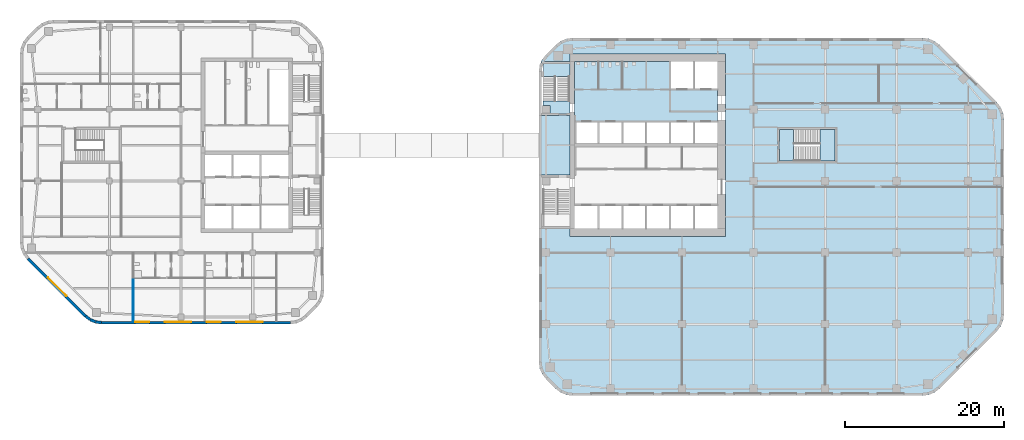
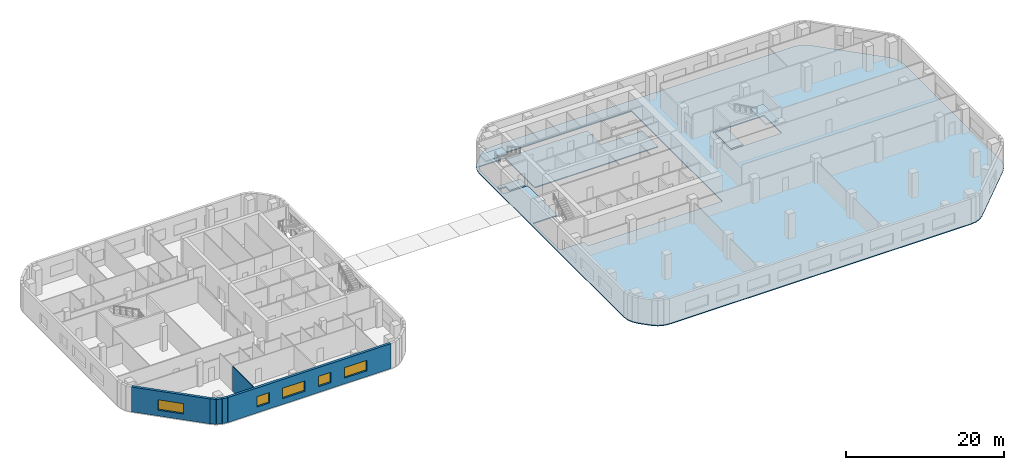
# One storey, part 4 of 15: 6 slabs, 6 walls, 5 windows, 5 openings, 2 elements without a shape of their own.
"""IFC4 building model written with IfcOpenShell, lengths in metres."""

from ifc_helpers import new_model, si_unit, direction, frame, frame_2d, origin, place, context, subcontext, project, spatial, polyline, rectangle, outline, extrude, material, layer, layer_set, type_object, element, fill, aggregate, save


model = new_model("IFC4")

# Units and contexts
model_context = context("Model", 3, precision=1e-05, world=origin(), true_north=direction((0.0, 1.0)))
body_context = subcontext(model_context, "Body", "Model", "MODEL_VIEW")
ifc_project = project(units=[si_unit("LENGTHUNIT", "METRE"), si_unit("AREAUNIT", "SQUARE_METRE"), si_unit("VOLUMEUNIT", "CUBIC_METRE"), si_unit("PLANEANGLEUNIT", "RADIAN"), si_unit("MASSUNIT", "GRAM", prefix="KILO")], contexts=[model_context])

# Site, building, storey
site_placement = place(None, origin())
site = spatial("IfcSite", under=ifc_project, at=site_placement, CompositionType="ELEMENT")
building_placement = place(site_placement, origin())
building = spatial("IfcBuilding", under=site, at=building_placement, Name="Cinnabar Reach Civic Tower", CompositionType="ELEMENT")
storey_placement = place(building_placement, frame((0.0, 0.0, 75.0)))
storey = spatial("IfcBuildingStorey", under=building, at=storey_placement, Name="L17", CompositionType="ELEMENT", Elevation=75.0)

# Slab
ifc_material_1 = material(Name="Concrete C40", Category="concrete")
ifc_layer_1 = layer(ifc_material_1, 0.15)
ifc_layer_set_1 = layer_set([ifc_layer_1], Name="Composite floor slab 150 REI 150")
slab_type_1 = type_object("IfcSlabType", Name="Composite floor slab 150 REI 150", PredefinedType="FLOOR", material=ifc_layer_set_1)
slab_1_placement = place(storey_placement, frame((0.0, 0.0, -0.15)))
element("IfcSlab", 1, at=slab_1_placement, inside=storey, type_object=slab_type_1, Name="Composite floor slab 150 T1 L17", PredefinedType="FLOOR", context=body_context, shape_type="SweptSolid", body=[
    extrude(outline(polyline([(0.8787, 2.1213), (0.4019, 2.7426), (0.1022, 3.4662), (0.0, 4.2426), (0.0, 40.7574), (0.1022, 41.5338), (0.4019, 42.2574), (0.8787, 42.8787), (2.1213, 44.1213), (2.7426, 44.5981), (3.4662, 44.8978), (4.2426, 45.0), (48.2574, 45.0), (49.0338, 44.8978), (49.7574, 44.5981), (50.3787, 44.1213), (57.6213, 36.8787), (58.0981, 36.2574), (58.3978, 35.5338), (58.5, 34.7574), (58.5, 10.2426), (58.3978, 9.4662), (58.0981, 8.7426), (57.6213, 8.1213), (50.3787, 0.8787), (49.7574, 0.4019), (49.0338, 0.1022), (48.2574, 0.0), (4.2426, 0.0), (3.4662, 0.1022), (2.7426, 0.4019), (2.1213, 0.8787), (0.8787, 2.1213)]), holes=[polyline([(0.36, 21.0), (3.9, 21.0), (3.9, 20.0), (23.5, 20.0), (23.5, 43.0), (3.9, 43.0), (3.9, 42.0), (0.685, 42.0), (0.453, 41.4398), (0.36, 40.7338), (0.36, 35.25), (3.9, 35.25), (3.9, 27.75), (0.36, 27.75), (0.36, 21.0)]), polyline([(30.0, 33.75), (30.0, 29.25), (37.5, 29.25), (37.5, 33.75), (30.0, 33.75)])]), origin(), (0.0, 0.0, 1.0), 0.15),
])

# Stair, slabs
ifc_material_2 = material(Name="Concrete C40/50", Category="concrete")
stair_type = type_object("IfcStairType", Name="T1 Exit stair, half-turn", PredefinedType="HALF_TURN_STAIR", material=ifc_material_2)
stair_1_placement = place(storey_placement, origin())
stair_1 = element("IfcStair", 2, at=stair_1_placement, inside=storey, type_object=stair_type, Name="Stair T1-S2", PredefinedType="HALF_TURN_STAIR")
ifc_layer_2 = layer(ifc_material_2, 0.2)
ifc_layer_set_2 = layer_set([ifc_layer_2], Name="T1 Stair landing 200, Concrete C40/50")
slab_type_2 = type_object("IfcSlabType", Name="T1 Stair landing 200, Concrete C40/50", PredefinedType="LANDING", material=ifc_layer_set_2)
slab_2_placement = place(storey_placement, frame((0.0, 0.0, -0.2)))
slab_2 = element("IfcSlab", 3, at=slab_2_placement, type_object=slab_type_2, Name="T1-S2 landing 1", PredefinedType="LANDING", context=body_context, shape_type="SweptSolid", body=[
    extrude(outline(polyline([(0.5, 37.05), (3.9, 37.05), (3.9, 35.5), (1.4, 35.5), (1.4, 36.5), (0.5, 36.5), (0.5, 37.05)])), origin(), (0.0, 0.0, 1.0), 0.2),
])
slab_3_placement = place(storey_placement, frame((0.0, 0.0, 1.8)))
slab_3 = element("IfcSlab", 4, at=slab_3_placement, type_object=slab_type_2, Name="T1-S2 landing 2", PredefinedType="LANDING", context=body_context, shape_type="SweptSolid", body=[
    extrude(outline(polyline([(0.6, 40.13), (0.6, 41.75), (3.9, 41.75), (3.9, 40.13), (0.6, 40.13)])), origin(), (0.0, 0.0, 1.0), 0.2),
])
aggregate(stair_1, [slab_2, slab_3])

stair_2_placement = place(storey_placement, origin())
stair_2 = element("IfcStair", 5, at=stair_2_placement, inside=storey, type_object=stair_type, Name="Stair T1-S3", PredefinedType="HALF_TURN_STAIR")
slab_4_placement = place(storey_placement, frame((0.0, 0.0, -0.2)))
slab_4 = element("IfcSlab", 6, at=slab_4_placement, type_object=slab_type_2, Name="T1-S3 landing 1", PredefinedType="LANDING", context=body_context, shape_type="SweptSolid", body=[
    extrude(outline(polyline([(30.25, 29.5), (32.05, 29.5), (32.05, 33.5), (30.25, 33.5), (30.25, 29.5)])), origin(), (0.0, 0.0, 1.0), 0.2),
])
slab_5_placement = place(storey_placement, frame((0.0, 0.0, 1.8)))
slab_5 = element("IfcSlab", 7, at=slab_5_placement, type_object=slab_type_2, Name="T1-S3 landing 2", PredefinedType="LANDING", context=body_context, shape_type="SweptSolid", body=[
    extrude(outline(polyline([(35.35, 29.5), (37.25, 29.5), (37.25, 33.5), (35.35, 33.5), (35.35, 29.5)])), origin(), (0.0, 0.0, 1.0), 0.2),
])
aggregate(stair_2, [slab_4, slab_5])

# Slab
ifc_layer_3 = layer(ifc_material_2, 0.15)
ifc_layer_set_3 = layer_set([ifc_layer_3], Name="T1 core floor slab 150")
slab_type_3 = type_object("IfcSlabType", Name="T1 core floor slab 150", PredefinedType="FLOOR", material=ifc_layer_set_3)
slab_6_placement = place(storey_placement, frame((0.0, 0.0, -0.15)))
element("IfcSlab", 8, at=slab_6_placement, inside=storey, type_object=slab_type_3, Name="Core floor slab L17", PredefinedType="FLOOR", context=body_context, shape_type="SweptSolid", body=[
    extrude(outline(polyline([(22.5, 34.5), (19.5, 34.5), (16.5, 34.5), (13.5, 34.5), (10.5, 34.5), (7.5, 34.5), (4.5, 34.5), (4.5, 42.0), (16.5, 42.0), (16.5, 38.5), (19.5, 38.5), (22.5, 38.5), (22.5, 34.5)])), origin(), (0.0, 0.0, 1.0), 0.15),
])

# Walls
ifc_material_3 = material(Name="Facing brick with insulated backing", Category="masonry")
ifc_layer_4 = layer(ifc_material_3, 0.36)
ifc_layer_set_4 = layer_set([ifc_layer_4], Name="Brick corner wall")
wall_type_1 = type_object("IfcWallType", Name="Brick corner wall", PredefinedType="STANDARD", material=ifc_layer_set_4)
wall_1_placement = place(storey_placement, frame((-56.9913, 10.0002, 0.0), z_axis=(0.0, 0.0, 1.0), x_axis=(0.793321924995, -0.608802368033, 0.0)))
element("IfcWall", 9, at=wall_1_placement, inside=storey, type_object=wall_type_1, Name="Brick corner wall", PredefinedType="STANDARD", context=body_context, shape_type="SweptSolid", body=[
    extrude(rectangle(XDim=0.7132, YDim=0.36, at=frame_2d((0.3566, 0.0))), origin(), (0.0, 0.0, 1.0), 3.85),
])
for number, where, z_axis, x_axis, name in (
    (10, (-56.4061, 9.5548, 0.0), (0.0, 0.0, 1.0), (0.923871547278, -0.382702709855, 0.0), "Brick corner wall"),
    (11, (-55.7256, 9.2761, 0.0), (0.0, 0.0, 1.0), (0.99144092581, -0.13055608231, 0.0), "Brick corner wall"),
):
    element("IfcWall", number, at=place(storey_placement, frame(where, z_axis=z_axis, x_axis=x_axis)), inside=storey, type_object=wall_type_1, Name=name, PredefinedType="STANDARD", context=body_context, shape_type="SweptSolid", body=[
        extrude(rectangle(XDim=0.7131, YDim=0.36, at=frame_2d((0.3565, 0.0))), origin(), (0.0, 0.0, 1.0), 3.85),
    ])

# Wall, openings, windows
ifc_layer_5 = layer(ifc_material_3, 0.36)
ifc_layer_set_5 = layer_set([ifc_layer_5], Name="Brick pier and spandrel wall")
wall_type_2 = type_object("IfcWallType", Name="Brick pier and spandrel wall", PredefinedType="STANDARD", material=ifc_layer_set_5)
wall_2_placement = place(storey_placement, frame((-55.0074, 9.18, 0.0), z_axis=(0.0, 0.0, 1.0), x_axis=(1.0, 0.0, 0.0)))
wall_2 = element("IfcWall", 12, at=wall_2_placement, inside=storey, type_object=wall_type_2, Name="Brick facade wall", PredefinedType="STANDARD", context=body_context, shape_type="SweptSolid", body=[
    extrude(rectangle(XDim=23.7648, YDim=0.36, at=frame_2d((11.8824, 0.0))), origin(), (0.0, 0.0, 1.0), 3.85),
])
opening_1_placement = place(wall_2_placement, frame((4.2324, 0.0, 0.9)))
opening_1 = element("IfcOpeningElement", 13, at=opening_1_placement, cuts=wall_2, Name="Opening W2569", PredefinedType="OPENING", context=body_context, shape_type="SweptSolid", body=[
    extrude(rectangle(XDim=1.8, YDim=1.6, at=frame_2d((0.9, 0.8))), frame((0.0, 0.19, 0.0), z_axis=(0.0, -1.0, 0.0), x_axis=(1.0, 0.0, 0.0)), (0.0, 0.0, 1.0), 0.38),
])
opening_2_placement = place(wall_2_placement, frame((7.9824, 0.0, 0.9)))
opening_2 = element("IfcOpeningElement", 14, at=opening_2_placement, cuts=wall_2, Name="Opening W2570", PredefinedType="OPENING", context=body_context, shape_type="SweptSolid", body=[
    extrude(rectangle(XDim=3.3, YDim=1.6, at=frame_2d((1.65, 0.8))), frame((0.0, 0.19, 0.0), z_axis=(0.0, -1.0, 0.0), x_axis=(1.0, 0.0, 0.0)), (0.0, 0.0, 1.0), 0.38),
])
opening_3_placement = place(wall_2_placement, frame((13.2324, 0.0, 0.9)))
opening_3 = element("IfcOpeningElement", 15, at=opening_3_placement, cuts=wall_2, Name="Opening W2571", PredefinedType="OPENING", context=body_context, shape_type="SweptSolid", body=[
    extrude(rectangle(XDim=1.8, YDim=1.6, at=frame_2d((0.9, 0.8))), frame((0.0, 0.19, 0.0), z_axis=(0.0, -1.0, 0.0), x_axis=(1.0, 0.0, 0.0)), (0.0, 0.0, 1.0), 0.38),
])
opening_4_placement = place(wall_2_placement, frame((16.9824, 0.0, 0.9)))
opening_4 = element("IfcOpeningElement", 16, at=opening_4_placement, cuts=wall_2, Name="Opening W2572", PredefinedType="OPENING", context=body_context, shape_type="SweptSolid", body=[
    extrude(rectangle(XDim=3.3, YDim=1.6, at=frame_2d((1.65, 0.8))), frame((0.0, 0.19, 0.0), z_axis=(0.0, -1.0, 0.0), x_axis=(1.0, 0.0, 0.0)), (0.0, 0.0, 1.0), 0.38),
])
ifc_material_4 = material(Name="Clear double glazing in aluminium frame", Category="aluminium")
window_type_1 = type_object("IfcWindowType", Name="Deep-set window A", PartitioningType="SINGLE_PANEL", PredefinedType="WINDOW", material=ifc_material_4)
window_1_placement = place(opening_2_placement, origin())
window_1 = element("IfcWindow", 17, at=window_1_placement, inside=storey, type_object=window_type_1, Name="Window south face", OverallHeight=1.6, OverallWidth=3.3, PartitioningType="SINGLE_PANEL", PredefinedType="WINDOW", context=body_context, shape_type="SweptSolid", body=[
    extrude(rectangle(XDim=3.3, YDim=1.6, at=frame_2d((1.65, 0.8))), frame((0.0, 0.13, 0.0), z_axis=(0.0, -1.0, 0.0), x_axis=(1.0, 0.0, 0.0)), (0.0, 0.0, 1.0), 0.06),
])
fill(opening_2, window_1)
window_2_placement = place(opening_4_placement, origin())
window_2 = element("IfcWindow", 18, at=window_2_placement, inside=storey, type_object=window_type_1, Name="Window south face", OverallHeight=1.6, OverallWidth=3.3, PartitioningType="SINGLE_PANEL", PredefinedType="WINDOW", context=body_context, shape_type="SweptSolid", body=[
    extrude(rectangle(XDim=3.3, YDim=1.6, at=frame_2d((1.65, 0.8))), frame((0.0, 0.13, 0.0), z_axis=(0.0, -1.0, 0.0), x_axis=(1.0, 0.0, 0.0)), (0.0, 0.0, 1.0), 0.06),
])
fill(opening_4, window_2)
window_type_2 = type_object("IfcWindowType", Name="Deep-set window D", PartitioningType="SINGLE_PANEL", PredefinedType="WINDOW", material=ifc_material_4)
window_3_placement = place(opening_1_placement, origin())
window_3 = element("IfcWindow", 19, at=window_3_placement, inside=storey, type_object=window_type_2, Name="Window south face", OverallHeight=1.6, OverallWidth=1.8, PartitioningType="SINGLE_PANEL", PredefinedType="WINDOW", context=body_context, shape_type="SweptSolid", body=[
    extrude(rectangle(XDim=1.8, YDim=1.6, at=frame_2d((0.9, 0.8))), frame((0.0, 0.13, 0.0), z_axis=(0.0, -1.0, 0.0), x_axis=(1.0, 0.0, 0.0)), (0.0, 0.0, 1.0), 0.06),
])
fill(opening_1, window_3)
window_4_placement = place(opening_3_placement, origin())
window_4 = element("IfcWindow", 20, at=window_4_placement, inside=storey, type_object=window_type_2, Name="Window south face", OverallHeight=1.6, OverallWidth=1.8, PartitioningType="SINGLE_PANEL", PredefinedType="WINDOW", context=body_context, shape_type="SweptSolid", body=[
    extrude(rectangle(XDim=1.8, YDim=1.6, at=frame_2d((0.9, 0.8))), frame((0.0, 0.13, 0.0), z_axis=(0.0, -1.0, 0.0), x_axis=(1.0, 0.0, 0.0)), (0.0, 0.0, 1.0), 0.06),
])
fill(opening_3, window_4)

# Wall, opening, window
wall_3_placement = place(storey_placement, frame((-64.244, 17.2486, 0.0), z_axis=(0.0, 0.0, 1.0), x_axis=(0.707106781187, -0.707106781187, 0.0)))
wall_3 = element("IfcWall", 21, at=wall_3_placement, inside=storey, type_object=wall_type_2, Name="Brick facade wall", PredefinedType="STANDARD", context=body_context, shape_type="SweptSolid", body=[
    extrude(rectangle(XDim=10.2426, YDim=0.36, at=frame_2d((5.1213, 0.0))), origin(), (0.0, 0.0, 1.0), 3.85),
])
opening_5_placement = place(wall_3_placement, frame((3.4713, 0.0, 0.9)))
opening_5 = element("IfcOpeningElement", 22, at=opening_5_placement, cuts=wall_3, Name="Opening W2585", PredefinedType="OPENING", context=body_context, shape_type="SweptSolid", body=[
    extrude(rectangle(XDim=3.3, YDim=1.6, at=frame_2d((1.65, 0.8))), frame((0.0, 0.19, 0.0), z_axis=(0.0, -1.0, 0.0), x_axis=(1.0, 0.0, 0.0)), (0.0, 0.0, 1.0), 0.38),
])
window_5_placement = place(opening_5_placement, origin())
window_5 = element("IfcWindow", 23, at=window_5_placement, inside=storey, type_object=window_type_1, Name="Window southwest face", OverallHeight=1.6, OverallWidth=3.3, PartitioningType="SINGLE_PANEL", PredefinedType="WINDOW", context=body_context, shape_type="SweptSolid", body=[
    extrude(rectangle(XDim=3.3, YDim=1.6, at=frame_2d((1.65, 0.8))), frame((0.0, 0.13, 0.0), z_axis=(0.0, -1.0, 0.0), x_axis=(1.0, 0.0, 0.0)), (0.0, 0.0, 1.0), 0.06),
])
fill(opening_5, window_5)

# Wall
ifc_material_5 = material(Name="Gypsum board on steel studs", Category="steel")
ifc_layer_6 = layer(ifc_material_5, 0.1)
ifc_layer_set_6 = layer_set([ifc_layer_6], Name="Partition wall 100 T2")
wall_type_3 = type_object("IfcWallType", Name="Partition wall 100 T2", PredefinedType="PARTITIONING", material=ifc_layer_set_6)
wall_4_placement = place(storey_placement, frame((-51.0, 9.36, 0.0), z_axis=(0.0, 0.0, 1.0), x_axis=(0.0, 1.0, 0.0)))
element("IfcWall", 24, at=wall_4_placement, inside=storey, type_object=wall_type_3, Name="Partition wall 25", PredefinedType="PARTITIONING", context=body_context, shape_type="SweptSolid", body=[
    extrude(rectangle(XDim=5.39, YDim=0.1, at=frame_2d((2.695, 0.0))), origin(), (0.0, 0.0, 1.0), 3.85),
])

save(model, "model.ifc")
